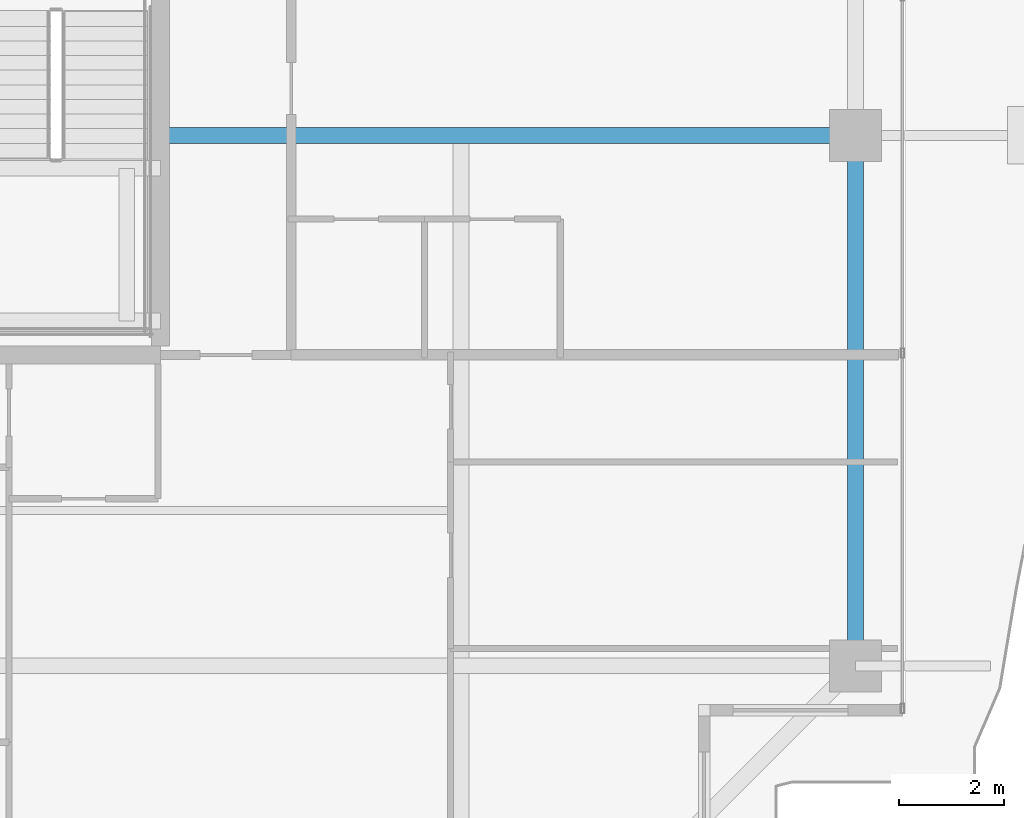
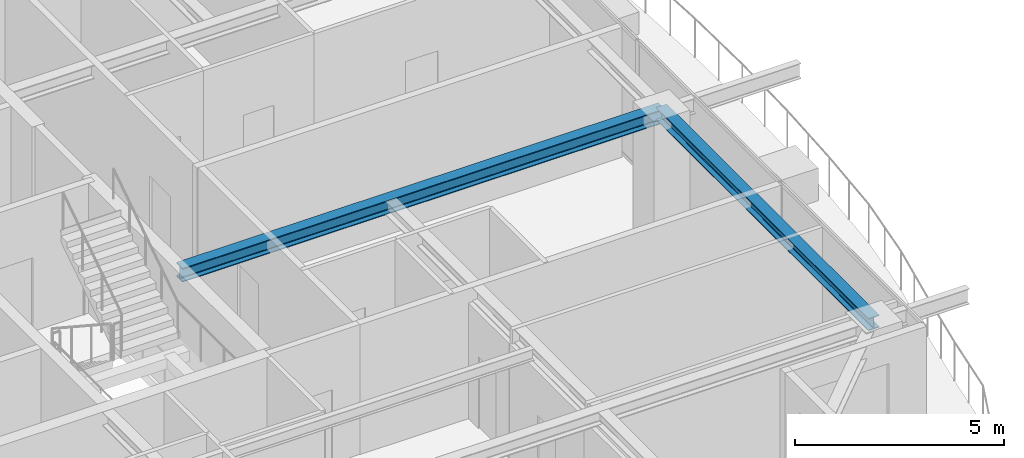
# One storey, part 15 of 42: 2 beams.
"""IFC4 building model written with IfcOpenShell, lengths in metres."""

from ifc_helpers import new_model, si_unit, direction, frame, origin, origin_2d, place, context, subcontext, project, spatial, i_section, extrude, source, transform, mapped, material, material_profile, profile_set, type_object, element, save


model = new_model("IFC4")

# Units and contexts
model_context = context("Model", 3, precision=1e-05, world=origin(), true_north=direction((0.0, 1.0)))
body_context = subcontext(model_context, "Body", "Model", "MODEL_VIEW")
ifc_project = project(units=[si_unit("LENGTHUNIT", "METRE"), si_unit("AREAUNIT", "SQUARE_METRE"), si_unit("VOLUMEUNIT", "CUBIC_METRE"), si_unit("PLANEANGLEUNIT", "RADIAN"), si_unit("MASSUNIT", "GRAM", prefix="KILO")], contexts=[model_context])

# Site, building, storey
site_placement = place(None, origin())
site = spatial("IfcSite", under=ifc_project, at=site_placement, CompositionType="ELEMENT")
building_placement = place(site_placement, origin())
building = spatial("IfcBuilding", under=site, at=building_placement, Name="Serunith Strait Residences", CompositionType="ELEMENT")
storey_placement = place(building_placement, frame((0.0, 0.0, 325.85009765625)))
storey = spatial("IfcBuildingStorey", under=building, at=storey_placement, Name="L81", CompositionType="ELEMENT", Elevation=325.85009765625)

# Beams
ifc_material = material(Name="Steel S355J2", Category="steel")
ifc_material_profile_1 = material_profile(ifc_material, i_section(OverallWidth=0.300048828125, OverallDepth=0.39990234375, WebThickness=0.013427734375, FlangeThickness=0.02392578125, FilletRadius=0.027099609375, at=origin_2d()), Name="HEB 400")
ifc_profile_set_1 = profile_set([ifc_material_profile_1], Name="Steel S355J2")
beam_type_1 = type_object("IfcBeamType", Name="BM-HEB400", PredefinedType="BEAM", material=ifc_profile_set_1)
shared_shape_1 = source(origin(), body_context, "Body", "SweptSolid", [
    extrude(i_section(OverallWidth=0.300048828125, OverallDepth=0.39990234375, WebThickness=0.013427734375, FlangeThickness=0.02392578125, FilletRadius=0.027099609375, at=origin_2d()), origin(), (0.0, 0.0, 1.0), 13.300048828125),
])
beam_1_placement = place(storey_placement, frame((41.39990234375, 21.0, 3.5869140625), z_axis=(1.0, 0.0, 0.0), x_axis=(0.0, 1.0, 0.0)))
element("IfcBeam", 1, at=beam_1_placement, inside=storey, type_object=beam_type_1, Name="L81 Primary Floor Girder TC-E2", PredefinedType="BEAM", context=body_context, shape_type="MappedRepresentation", body=[
    mapped(shared_shape_1, transform((0.0, 0.0, 0.0), scale=1.0)),
])
ifc_material_profile_2 = material_profile(ifc_material, i_section(OverallWidth=0.300048828125, OverallDepth=0.360107421875, WebThickness=0.012451171875, FlangeThickness=0.0224609375, FilletRadius=0.027099609375, at=origin_2d()), Name="HEB 360")
ifc_profile_set_2 = profile_set([ifc_material_profile_2], Name="Steel S355J2")
beam_type_2 = type_object("IfcBeamType", Name="BM-HEB360", PredefinedType="BEAM", material=ifc_profile_set_2)
shared_shape_2 = source(origin(), body_context, "Body", "SweptSolid", [
    extrude(i_section(OverallWidth=0.300048828125, OverallDepth=0.360107421875, WebThickness=0.012451171875, FlangeThickness=0.0224609375, FilletRadius=0.027099609375, at=origin_2d()), origin(), (0.0, 0.0, 1.0), 10.14990234375),
])
beam_2_placement = place(storey_placement, frame((54.699951171875, 10.85009765625, 3.60693359375), z_axis=(0.0, 1.0, 0.0), x_axis=(-1.0, 0.0, 0.0)))
element("IfcBeam", 2, at=beam_2_placement, inside=storey, type_object=beam_type_2, Name="L81 Perimeter Ring Beam 05", PredefinedType="BEAM", context=body_context, shape_type="MappedRepresentation", body=[
    mapped(shared_shape_2, transform((0.0, 0.0, 0.0), scale=1.0)),
])

save(model, "model.ifc")
